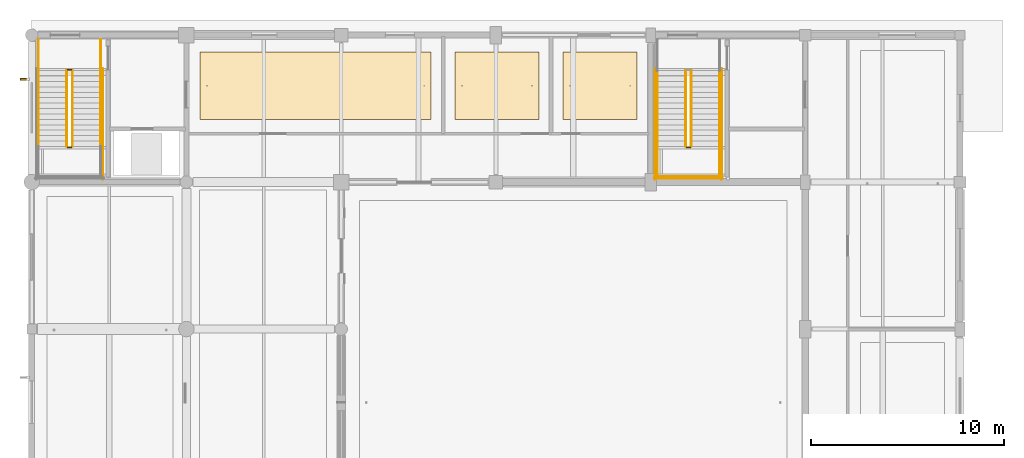
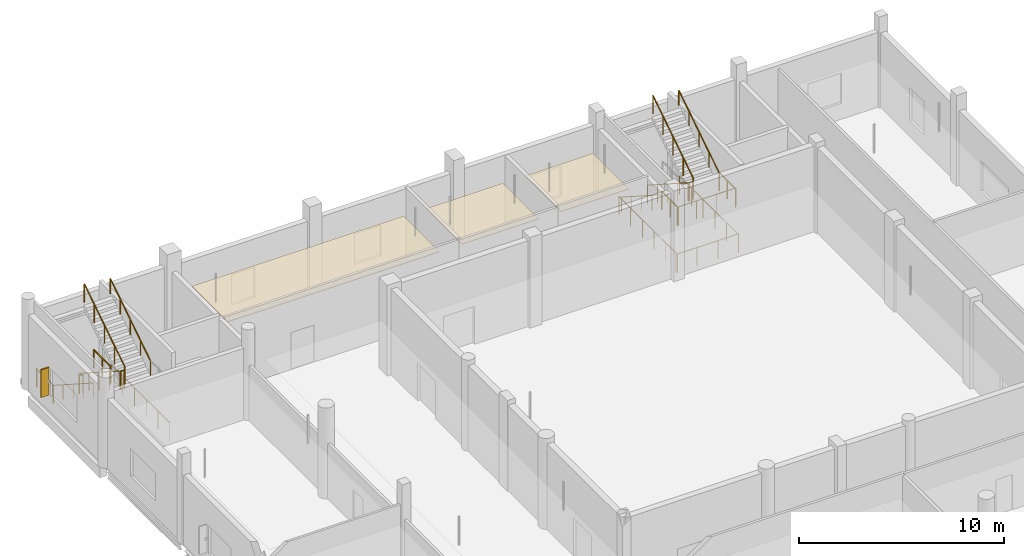
# One storey, part 118 of 126: 20 railings, 3 coverings, 1 shading device.
"""IFC4 building model written with IfcOpenShell, lengths in metres."""

from ifc_helpers import new_model, si_unit, direction, frame, origin, origin_2d, place, context, subcontext, project, spatial, polyline, rectangle, circle, outline, extrude, material, layer, layer_set, type_object, element, save


model = new_model("IFC4")

# Units and contexts
model_context = context("Model", 3, precision=1e-05, world=origin(), true_north=direction((0.0, 1.0)))
body_context = subcontext(model_context, "Body", "Model", "MODEL_VIEW")
ifc_project = project(units=[si_unit("LENGTHUNIT", "METRE"), si_unit("AREAUNIT", "SQUARE_METRE"), si_unit("VOLUMEUNIT", "CUBIC_METRE"), si_unit("PLANEANGLEUNIT", "RADIAN"), si_unit("MASSUNIT", "GRAM", prefix="KILO")], contexts=[model_context])

# Site, building, storey
site_placement = place(None, origin())
site = spatial("IfcSite", under=ifc_project, at=site_placement, CompositionType="ELEMENT")
building_placement = place(site_placement, origin())
building = spatial("IfcBuilding", under=site, at=building_placement, Name="Khelvaren Railside Concert Hall", CompositionType="ELEMENT")
storey_placement = place(building_placement, origin())
storey = spatial("IfcBuildingStorey", under=building, at=storey_placement, Name="L00", CompositionType="ELEMENT", Elevation=0.0)

# Coverings
ifc_material_1 = material(Name="Mineral-wool acoustic baffle ceiling", Category="gypsum")
ifc_layer_1 = layer(ifc_material_1, 0.0400390625)
ifc_layer_set_1 = layer_set([ifc_layer_1], Name="Mineral-wool acoustic baffle ceiling")
covering_type_1 = type_object("IfcCoveringType", Name="CLG20", PredefinedType="CEILING", material=ifc_layer_set_1)
covering_1_placement = place(storey_placement, frame((0.0, 0.0, 3.409912109375)))
element("IfcCovering", 1, at=covering_1_placement, inside=storey, type_object=covering_type_1, Name="Suspended Acoustic Ceiling Chamber Green Room L00", PredefinedType="CEILING", context=body_context, shape_type="SweptSolid", body=[
    extrude(outline(polyline([(8.7099609375, 109.6298828125), (20.637939453125, 109.6298828125), (20.637939453125, 113.1201171875), (8.7099609375, 113.1201171875), (8.7099609375, 109.6298828125)])), origin(), (0.0, 0.0, 1.0), 0.0400390625),
])
covering_2_placement = place(storey_placement, frame((0.0, 0.0, 3.409912109375)))
element("IfcCovering", 2, at=covering_2_placement, inside=storey, type_object=covering_type_1, Name="Suspended Acoustic Ceiling Pavilion Accessible WC L00", PredefinedType="CEILING", context=body_context, shape_type="SweptSolid", body=[
    extrude(outline(polyline([(27.47802734375, 109.6298828125), (31.2900390625, 109.6298828125), (31.2900390625, 113.1201171875), (27.47802734375, 113.1201171875), (27.47802734375, 109.6298828125)])), origin(), (0.0, 0.0, 1.0), 0.0400390625),
])
ifc_material_2 = material(Name="Micro-perforated timber acoustic ceiling", Category="wood")
ifc_layer_2 = layer(ifc_material_2, 0.030029296875)
ifc_layer_set_2 = layer_set([ifc_layer_2], Name="Micro-perforated timber acoustic ceiling")
covering_type_2 = type_object("IfcCoveringType", Name="CLG77", PredefinedType="CEILING", material=ifc_layer_set_2)
covering_3_placement = place(storey_placement, frame((0.0, 0.0, 3.419921875)))
element("IfcCovering", 3, at=covering_3_placement, inside=storey, type_object=covering_type_2, Name="Suspended Acoustic Ceiling Pavilion Public WC L00", PredefinedType="CEILING", context=body_context, shape_type="SweptSolid", body=[
    extrude(outline(polyline([(21.89794921875, 109.6298828125), (26.218017578125, 109.6298828125), (26.218017578125, 113.1201171875), (21.89794921875, 113.1201171875), (21.89794921875, 109.6298828125)])), origin(), (0.0, 0.0, 1.0), 0.030029296875),
])

# Railings
ifc_material_3 = material(Name="Painted architectural steel", Category="steel")
railing_type_1 = type_object("IfcRailingType", Name="GRD86", PredefinedType="GUARDRAIL", material=ifc_material_3)
railing_1_placement = place(storey_placement, frame((1.81005859375, 112.159912109375, 0.179931640625)))
element("IfcRailing", 4, at=railing_1_placement, inside=storey, type_object=railing_type_1, Name="L00 ST-07 stair guard 1", PredefinedType="GUARDRAIL", context=body_context, shape_type="SweptSolid", body=[
    extrude(circle(Radius=0.02392578125, at=origin_2d()), frame((0.0, 0.0, 1.076171875), z_axis=(0.0, -0.841171666519, 0.540768182723), x_axis=(1.0, 0.0, 0.0)), (0.0, 0.0, 1.0), 4.66015625),
    extrude(circle(Radius=0.02099609375, at=origin_2d()), origin(), (0.0, 0.0, 1.0), 1.052001953125),
    extrude(circle(Radius=0.02099609375, at=origin_2d()), frame((0.0, -0.97998046875, 0.6298828125)), (0.0, 0.0, 1.0), 1.052001953125),
    extrude(circle(Radius=0.02099609375, at=origin_2d()), frame((0.0, -1.9599609375, 1.260009765625)), (0.0, 0.0, 1.0), 1.052001953125),
    extrude(circle(Radius=0.02099609375, at=origin_2d()), frame((0.0, -2.93994140625, 1.89013671875)), (0.0, 0.0, 1.0), 1.052001953125),
    extrude(circle(Radius=0.02099609375, at=origin_2d()), frame((0.0, -3.919921875, 2.52001953125)), (0.0, 0.0, 1.0), 1.052001953125),
])
railing_2_placement = place(storey_placement, frame((1.860107421875, 108.18994140625, 2.699951171875)))
element("IfcRailing", 5, at=railing_2_placement, inside=storey, type_object=railing_type_1, Name="L00 ST-07 stair guard 2", PredefinedType="GUARDRAIL", context=body_context, shape_type="SweptSolid", body=[
    extrude(circle(Radius=0.02392578125, at=origin_2d()), frame((0.0, 0.0, 1.076171875), z_axis=(1.0, 0.0, 0.0), x_axis=(0.0, 1.0, 0.0)), (0.0, 0.0, 1.0), 0.199951171875),
    extrude(circle(Radius=0.02099609375, at=origin_2d()), origin(), (0.0, 0.0, 1.0), 1.052001953125),
    extrude(circle(Radius=0.02099609375, at=origin_2d()), frame((0.199951171875, 0.0, 0.0)), (0.0, 0.0, 1.0), 1.052001953125),
])
railing_3_placement = place(storey_placement, frame((2.110107421875, 108.239990234375, 2.8798828125)))
element("IfcRailing", 6, at=railing_3_placement, inside=storey, type_object=railing_type_1, Name="L00 ST-07 stair guard 6", PredefinedType="GUARDRAIL", context=body_context, shape_type="SweptSolid", body=[
    extrude(circle(Radius=0.02392578125, at=origin_2d()), frame((0.0, 0.0, 1.076171875), z_axis=(0.0, 0.841171666519, 0.540768182723), x_axis=(-1.0, 0.0, 0.0)), (0.0, 0.0, 1.0), 4.66015625),
    extrude(circle(Radius=0.02099609375, at=origin_2d()), origin(), (0.0, 0.0, 1.0), 1.052001953125),
    extrude(circle(Radius=0.02099609375, at=origin_2d()), frame((0.0, 0.97998046875, 0.6298828125)), (0.0, 0.0, 1.0), 1.052001953125),
    extrude(circle(Radius=0.02099609375, at=origin_2d()), frame((0.0, 1.9599609375, 1.260009765625)), (0.0, 0.0, 1.0), 1.052001953125),
    extrude(circle(Radius=0.02099609375, at=origin_2d()), frame((0.0, 2.93994140625, 1.89013671875)), (0.0, 0.0, 1.0), 1.052001953125),
    extrude(circle(Radius=0.02099609375, at=origin_2d()), frame((0.0, 3.919921875, 2.52001953125)), (0.0, 0.0, 1.0), 1.052001953125),
])
railing_4_placement = place(storey_placement, frame((1.860107421875, 112.2099609375, 0.0)))
element("IfcRailing", 7, at=railing_4_placement, inside=storey, type_object=railing_type_1, Name="L00 ST-07 stair guard 7", PredefinedType="GUARDRAIL", context=body_context, shape_type="SweptSolid", body=[
    extrude(circle(Radius=0.02392578125, at=origin_2d()), frame((0.0, 0.0, 1.076171875), z_axis=(1.0, 0.0, 0.0), x_axis=(0.0, 1.0, 0.0)), (0.0, 0.0, 1.0), 0.199951171875),
    extrude(circle(Radius=0.02099609375, at=origin_2d()), origin(), (0.0, 0.0, 1.0), 1.052001953125),
    extrude(circle(Radius=0.02099609375, at=origin_2d()), frame((0.199951171875, 0.0, 0.0)), (0.0, 0.0, 1.0), 1.052001953125),
])
for number, where, name in (
    (8, (0.35009765625, 113.760009765625, 0.0), "L00 ST-07 stair guard 8"),
    (9, (3.570068359375, 113.760009765625, 0.0), "L00 ST-07 stair guard 9"),
):
    element("IfcRailing", number, at=place(storey_placement, frame(where)), inside=storey, type_object=railing_type_1, Name=name, PredefinedType="GUARDRAIL", context=body_context, shape_type="SweptSolid", body=[
        extrude(circle(Radius=0.02392578125, at=origin_2d()), frame((0.0, 0.0, 1.076171875), z_axis=(0.0, -1.0, 0.0), x_axis=(1.0, 0.0, 0.0)), (0.0, 0.0, 1.0), 1.60009765625),
        extrude(circle(Radius=0.02099609375, at=origin_2d()), origin(), (0.0, 0.0, 1.0), 1.052001953125),
        extrude(circle(Radius=0.02099609375, at=origin_2d()), frame((0.0, -0.800048828125, 0.0)), (0.0, 0.0, 1.0), 1.052001953125),
        extrude(circle(Radius=0.02099609375, at=origin_2d()), frame((0.0, -1.60009765625, 0.0)), (0.0, 0.0, 1.0), 1.052001953125),
    ])
railing_5_placement = place(storey_placement, frame((3.669921875, 112.260009765625, 0.0)))
element("IfcRailing", 10, at=railing_5_placement, inside=storey, type_object=railing_type_1, Name="L00 ST-07 stair guard 11", PredefinedType="GUARDRAIL", context=body_context, shape_type="SweptSolid", body=[
    extrude(circle(Radius=0.02392578125, at=origin_2d()), frame((0.0, 0.0, 1.076171875), z_axis=(0.0, -1.0, 0.0), x_axis=(1.0, 0.0, 0.0)), (0.0, 0.0, 1.0), 5.719970703125),
    extrude(circle(Radius=0.02099609375, at=origin_2d()), origin(), (0.0, 0.0, 1.0), 1.052001953125),
    extrude(circle(Radius=0.02099609375, at=origin_2d()), frame((0.0, -1.14404296875, 0.0)), (0.0, 0.0, 1.0), 1.052001953125),
    extrude(circle(Radius=0.02099609375, at=origin_2d()), frame((0.0, -2.2880859375, 0.0)), (0.0, 0.0, 1.0), 1.052001953125),
    extrude(circle(Radius=0.02099609375, at=origin_2d()), frame((0.0, -3.431884765625, 0.0)), (0.0, 0.0, 1.0), 1.052001953125),
    extrude(circle(Radius=0.02099609375, at=origin_2d()), frame((0.0, -4.575927734375, 0.0)), (0.0, 0.0, 1.0), 1.052001953125),
    extrude(circle(Radius=0.02099609375, at=origin_2d()), frame((0.0, -5.719970703125, 0.0)), (0.0, 0.0, 1.0), 1.052001953125),
])
railing_6_placement = place(storey_placement, frame((33.81005859375, 112.159912109375, 0.179931640625)))
element("IfcRailing", 11, at=railing_6_placement, inside=storey, type_object=railing_type_1, Name="L00 ST-08 stair guard 1", PredefinedType="GUARDRAIL", context=body_context, shape_type="SweptSolid", body=[
    extrude(circle(Radius=0.02392578125, at=origin_2d()), frame((0.0, 0.0, 1.076171875), z_axis=(0.0, -0.841171666519, 0.540768182723), x_axis=(1.0, 0.0, 0.0)), (0.0, 0.0, 1.0), 4.66015625),
    extrude(circle(Radius=0.02099609375, at=origin_2d()), origin(), (0.0, 0.0, 1.0), 1.052001953125),
    extrude(circle(Radius=0.02099609375, at=origin_2d()), frame((0.0, -0.97998046875, 0.6298828125)), (0.0, 0.0, 1.0), 1.052001953125),
    extrude(circle(Radius=0.02099609375, at=origin_2d()), frame((0.0, -1.9599609375, 1.260009765625)), (0.0, 0.0, 1.0), 1.052001953125),
    extrude(circle(Radius=0.02099609375, at=origin_2d()), frame((0.0, -2.93994140625, 1.89013671875)), (0.0, 0.0, 1.0), 1.052001953125),
    extrude(circle(Radius=0.02099609375, at=origin_2d()), frame((0.0, -3.919921875, 2.52001953125)), (0.0, 0.0, 1.0), 1.052001953125),
])
railing_7_placement = place(storey_placement, frame((33.860107421875, 108.18994140625, 2.699951171875)))
element("IfcRailing", 12, at=railing_7_placement, inside=storey, type_object=railing_type_1, Name="L00 ST-08 stair guard 2", PredefinedType="GUARDRAIL", context=body_context, shape_type="SweptSolid", body=[
    extrude(circle(Radius=0.02392578125, at=origin_2d()), frame((0.0, 0.0, 1.076171875), z_axis=(1.0, 0.0, 0.0), x_axis=(0.0, 1.0, 0.0)), (0.0, 0.0, 1.0), 0.199951171875),
    extrude(circle(Radius=0.02099609375, at=origin_2d()), origin(), (0.0, 0.0, 1.0), 1.052001953125),
    extrude(circle(Radius=0.02099609375, at=origin_2d()), frame((0.199951171875, 0.0, 0.0)), (0.0, 0.0, 1.0), 1.052001953125),
])
for number, where, name in (
    (13, (32.35009765625, 108.239990234375, 2.699951171875), "L00 ST-08 stair guard 3"),
    (14, (35.570068359375, 108.239990234375, 2.699951171875), "L00 ST-08 stair guard 4"),
):
    element("IfcRailing", number, at=place(storey_placement, frame(where)), inside=storey, type_object=railing_type_1, Name=name, PredefinedType="GUARDRAIL", context=body_context, shape_type="SweptSolid", body=[
        extrude(circle(Radius=0.02392578125, at=origin_2d()), frame((0.0, 0.0, 1.076171875), z_axis=(0.0, -1.0, 0.0), x_axis=(1.0, 0.0, 0.0)), (0.0, 0.0, 1.0), 1.60009765625),
        extrude(circle(Radius=0.02099609375, at=origin_2d()), origin(), (0.0, 0.0, 1.0), 1.052001953125),
        extrude(circle(Radius=0.02099609375, at=origin_2d()), frame((0.0, -0.800048828125, 0.0)), (0.0, 0.0, 1.0), 1.052001953125),
        extrude(circle(Radius=0.02099609375, at=origin_2d()), frame((0.0, -1.60009765625, 0.0)), (0.0, 0.0, 1.0), 1.052001953125),
    ])
railing_8_placement = place(storey_placement, frame((32.300048828125, 106.68994140625, 2.699951171875)))
element("IfcRailing", 15, at=railing_8_placement, inside=storey, type_object=railing_type_1, Name="L00 ST-08 stair guard 5", PredefinedType="GUARDRAIL", context=body_context, shape_type="SweptSolid", body=[
    extrude(circle(Radius=0.02392578125, at=origin_2d()), frame((0.0, 0.0, 1.076171875), z_axis=(1.0, 0.0, 0.0), x_axis=(0.0, 1.0, 0.0)), (0.0, 0.0, 1.0), 3.320068359375),
    extrude(circle(Radius=0.02099609375, at=origin_2d()), origin(), (0.0, 0.0, 1.0), 1.052001953125),
    extrude(circle(Radius=0.02099609375, at=origin_2d()), frame((1.106689453125, 0.0, 0.0)), (0.0, 0.0, 1.0), 1.052001953125),
    extrude(circle(Radius=0.02099609375, at=origin_2d()), frame((2.21337890625, 0.0, 0.0)), (0.0, 0.0, 1.0), 1.052001953125),
    extrude(circle(Radius=0.02099609375, at=origin_2d()), frame((3.320068359375, 0.0, 0.0)), (0.0, 0.0, 1.0), 1.052001953125),
])
railing_9_placement = place(storey_placement, frame((34.110107421875, 108.239990234375, 2.8798828125)))
element("IfcRailing", 16, at=railing_9_placement, inside=storey, type_object=railing_type_1, Name="L00 ST-08 stair guard 6", PredefinedType="GUARDRAIL", context=body_context, shape_type="SweptSolid", body=[
    extrude(circle(Radius=0.02392578125, at=origin_2d()), frame((0.0, 0.0, 1.076171875), z_axis=(0.0, 0.841171666519, 0.540768182723), x_axis=(-1.0, 0.0, 0.0)), (0.0, 0.0, 1.0), 4.66015625),
    extrude(circle(Radius=0.02099609375, at=origin_2d()), origin(), (0.0, 0.0, 1.0), 1.052001953125),
    extrude(circle(Radius=0.02099609375, at=origin_2d()), frame((0.0, 0.97998046875, 0.6298828125)), (0.0, 0.0, 1.0), 1.052001953125),
    extrude(circle(Radius=0.02099609375, at=origin_2d()), frame((0.0, 1.9599609375, 1.260009765625)), (0.0, 0.0, 1.0), 1.052001953125),
    extrude(circle(Radius=0.02099609375, at=origin_2d()), frame((0.0, 2.93994140625, 1.89013671875)), (0.0, 0.0, 1.0), 1.052001953125),
    extrude(circle(Radius=0.02099609375, at=origin_2d()), frame((0.0, 3.919921875, 2.52001953125)), (0.0, 0.0, 1.0), 1.052001953125),
])
for number, where, name in (
    (17, (32.25, 112.260009765625, 0.0), "L00 ST-08 stair guard 10"),
    (18, (35.669921875, 112.260009765625, 0.0), "L00 ST-08 stair guard 11"),
):
    element("IfcRailing", number, at=place(storey_placement, frame(where)), inside=storey, type_object=railing_type_1, Name=name, PredefinedType="GUARDRAIL", context=body_context, shape_type="SweptSolid", body=[
        extrude(circle(Radius=0.02392578125, at=origin_2d()), frame((0.0, 0.0, 1.076171875), z_axis=(0.0, -1.0, 0.0), x_axis=(1.0, 0.0, 0.0)), (0.0, 0.0, 1.0), 5.719970703125),
        extrude(circle(Radius=0.02099609375, at=origin_2d()), origin(), (0.0, 0.0, 1.0), 1.052001953125),
        extrude(circle(Radius=0.02099609375, at=origin_2d()), frame((0.0, -1.14404296875, 0.0)), (0.0, 0.0, 1.0), 1.052001953125),
        extrude(circle(Radius=0.02099609375, at=origin_2d()), frame((0.0, -2.2880859375, 0.0)), (0.0, 0.0, 1.0), 1.052001953125),
        extrude(circle(Radius=0.02099609375, at=origin_2d()), frame((0.0, -3.431884765625, 0.0)), (0.0, 0.0, 1.0), 1.052001953125),
        extrude(circle(Radius=0.02099609375, at=origin_2d()), frame((0.0, -4.575927734375, 0.0)), (0.0, 0.0, 1.0), 1.052001953125),
        extrude(circle(Radius=0.02099609375, at=origin_2d()), frame((0.0, -5.719970703125, 0.0)), (0.0, 0.0, 1.0), 1.052001953125),
    ])
railing_10_placement = place(storey_placement, frame((32.199951171875, 106.590087890625, 0.0)))
element("IfcRailing", 19, at=railing_10_placement, inside=storey, type_object=railing_type_1, Name="L00 ST-08 stair guard 12", PredefinedType="GUARDRAIL", context=body_context, shape_type="SweptSolid", body=[
    extrude(circle(Radius=0.02392578125, at=origin_2d()), frame((0.0, 0.0, 1.076171875), z_axis=(1.0, 0.0, 0.0), x_axis=(0.0, 1.0, 0.0)), (0.0, 0.0, 1.0), 3.52001953125),
    extrude(circle(Radius=0.02099609375, at=origin_2d()), origin(), (0.0, 0.0, 1.0), 1.052001953125),
    extrude(circle(Radius=0.02099609375, at=origin_2d()), frame((1.17333984375, 0.0, 0.0)), (0.0, 0.0, 1.0), 1.052001953125),
    extrude(circle(Radius=0.02099609375, at=origin_2d()), frame((2.3466796875, 0.0, 0.0)), (0.0, 0.0, 1.0), 1.052001953125),
    extrude(circle(Radius=0.02099609375, at=origin_2d()), frame((3.52001953125, 0.0, 0.0)), (0.0, 0.0, 1.0), 1.052001953125),
])
ifc_material_4 = material(Name="Brushed stainless steel Grade 316", Category="steel")
railing_type_2 = type_object("IfcRailingType", Name="HRL59", PredefinedType="HANDRAIL", material=ifc_material_4)
railing_11_placement = place(storey_placement, frame((0.35009765625, 112.159912109375, 0.179931640625)))
element("IfcRailing", 20, at=railing_11_placement, inside=storey, type_object=railing_type_2, Name="L00 ST-07 stair handrail 1", PredefinedType="HANDRAIL", context=body_context, shape_type="SweptSolid", body=[
    extrude(circle(Radius=0.02392578125, at=origin_2d()), frame((0.0, 0.0, 0.8759765625), z_axis=(0.0, -0.841171666519, 0.540768182723), x_axis=(1.0, 0.0, 0.0)), (0.0, 0.0, 1.0), 4.66015625),
    extrude(circle(Radius=0.02099609375, at=origin_2d()), origin(), (0.0, 0.0, 1.0), 0.851806640625),
    extrude(circle(Radius=0.02099609375, at=origin_2d()), frame((0.0, -0.97998046875, 0.6298828125)), (0.0, 0.0, 1.0), 0.851806640625),
    extrude(circle(Radius=0.02099609375, at=origin_2d()), frame((0.0, -1.9599609375, 1.260009765625)), (0.0, 0.0, 1.0), 0.851806640625),
    extrude(circle(Radius=0.02099609375, at=origin_2d()), frame((0.0, -2.93994140625, 1.89013671875)), (0.0, 0.0, 1.0), 0.851806640625),
    extrude(circle(Radius=0.02099609375, at=origin_2d()), frame((0.0, -3.919921875, 2.52001953125)), (0.0, 0.0, 1.0), 0.851806640625),
])
railing_12_placement = place(storey_placement, frame((3.570068359375, 108.239990234375, 2.8798828125)))
element("IfcRailing", 21, at=railing_12_placement, inside=storey, type_object=railing_type_2, Name="L00 ST-07 stair handrail 2", PredefinedType="HANDRAIL", context=body_context, shape_type="SweptSolid", body=[
    extrude(circle(Radius=0.02392578125, at=origin_2d()), frame((0.0, 0.0, 0.8759765625), z_axis=(0.0, 0.841171666519, 0.540768182723), x_axis=(-1.0, 0.0, 0.0)), (0.0, 0.0, 1.0), 4.66015625),
    extrude(circle(Radius=0.02099609375, at=origin_2d()), origin(), (0.0, 0.0, 1.0), 0.851806640625),
    extrude(circle(Radius=0.02099609375, at=origin_2d()), frame((0.0, 0.97998046875, 0.6298828125)), (0.0, 0.0, 1.0), 0.851806640625),
    extrude(circle(Radius=0.02099609375, at=origin_2d()), frame((0.0, 1.9599609375, 1.260009765625)), (0.0, 0.0, 1.0), 0.851806640625),
    extrude(circle(Radius=0.02099609375, at=origin_2d()), frame((0.0, 2.93994140625, 1.89013671875)), (0.0, 0.0, 1.0), 0.851806640625),
    extrude(circle(Radius=0.02099609375, at=origin_2d()), frame((0.0, 3.919921875, 2.52001953125)), (0.0, 0.0, 1.0), 0.851806640625),
])
railing_13_placement = place(storey_placement, frame((32.35009765625, 112.159912109375, 0.179931640625)))
element("IfcRailing", 22, at=railing_13_placement, inside=storey, type_object=railing_type_2, Name="L00 ST-08 stair handrail 1", PredefinedType="HANDRAIL", context=body_context, shape_type="SweptSolid", body=[
    extrude(circle(Radius=0.02392578125, at=origin_2d()), frame((0.0, 0.0, 0.8759765625), z_axis=(0.0, -0.841171666519, 0.540768182723), x_axis=(1.0, 0.0, 0.0)), (0.0, 0.0, 1.0), 4.66015625),
    extrude(circle(Radius=0.02099609375, at=origin_2d()), origin(), (0.0, 0.0, 1.0), 0.851806640625),
    extrude(circle(Radius=0.02099609375, at=origin_2d()), frame((0.0, -0.97998046875, 0.6298828125)), (0.0, 0.0, 1.0), 0.851806640625),
    extrude(circle(Radius=0.02099609375, at=origin_2d()), frame((0.0, -1.9599609375, 1.260009765625)), (0.0, 0.0, 1.0), 0.851806640625),
    extrude(circle(Radius=0.02099609375, at=origin_2d()), frame((0.0, -2.93994140625, 1.89013671875)), (0.0, 0.0, 1.0), 0.851806640625),
    extrude(circle(Radius=0.02099609375, at=origin_2d()), frame((0.0, -3.919921875, 2.52001953125)), (0.0, 0.0, 1.0), 0.851806640625),
])
railing_14_placement = place(storey_placement, frame((35.570068359375, 108.239990234375, 2.8798828125)))
element("IfcRailing", 23, at=railing_14_placement, inside=storey, type_object=railing_type_2, Name="L00 ST-08 stair handrail 2", PredefinedType="HANDRAIL", context=body_context, shape_type="SweptSolid", body=[
    extrude(circle(Radius=0.02392578125, at=origin_2d()), frame((0.0, 0.0, 0.8759765625), z_axis=(0.0, 0.841171666519, 0.540768182723), x_axis=(-1.0, 0.0, 0.0)), (0.0, 0.0, 1.0), 4.66015625),
    extrude(circle(Radius=0.02099609375, at=origin_2d()), origin(), (0.0, 0.0, 1.0), 0.851806640625),
    extrude(circle(Radius=0.02099609375, at=origin_2d()), frame((0.0, 0.97998046875, 0.6298828125)), (0.0, 0.0, 1.0), 0.851806640625),
    extrude(circle(Radius=0.02099609375, at=origin_2d()), frame((0.0, 1.9599609375, 1.260009765625)), (0.0, 0.0, 1.0), 0.851806640625),
    extrude(circle(Radius=0.02099609375, at=origin_2d()), frame((0.0, 2.93994140625, 1.89013671875)), (0.0, 0.0, 1.0), 0.851806640625),
    extrude(circle(Radius=0.02099609375, at=origin_2d()), frame((0.0, 3.919921875, 2.52001953125)), (0.0, 0.0, 1.0), 0.851806640625),
])

# Shading device
ifc_material_5 = material(Name="Anodised bronze aluminium 6063-T6", Category="aluminium")
shading_device_type = type_object("IfcShadingDeviceType", Name="SFN18", PredefinedType="USERDEFINED", material=ifc_material_5)
shading_device_placement = place(storey_placement, frame((-0.375, 111.717529296875, 0.949951171875), z_axis=(0.0, 0.0, 1.0), x_axis=(0.0, 1.0, 0.0)))
element("IfcShadingDevice", 24, at=shading_device_placement, inside=storey, type_object=shading_device_type, Name="Bronze Solar Shading Fin EW-V4-L00-W-106", ObjectType="SOLAR FIN", PredefinedType="USERDEFINED", context=body_context, shape_type="SweptSolid", body=[
    extrude(rectangle(XDim=0.080078125, YDim=0.449951171875, at=origin_2d()), origin(), (0.0, 0.0, 1.0), 1.64990234375),
])

save(model, "model.ifc")
